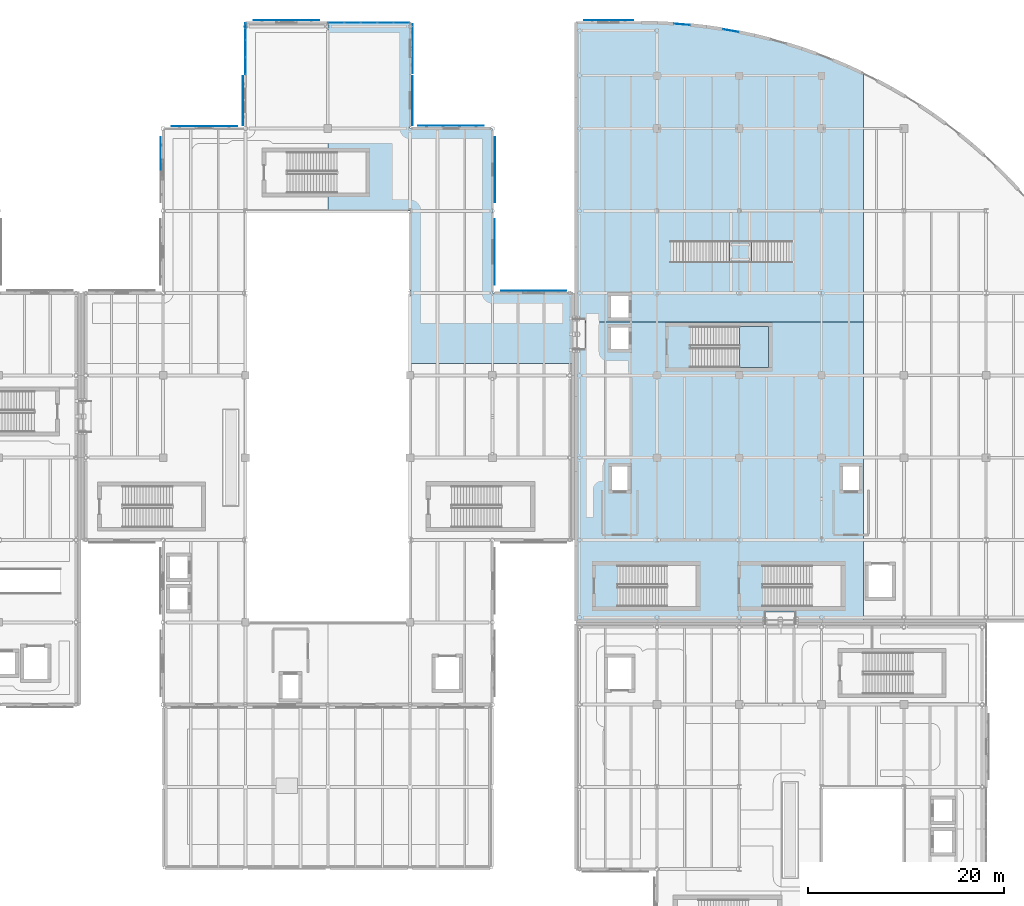
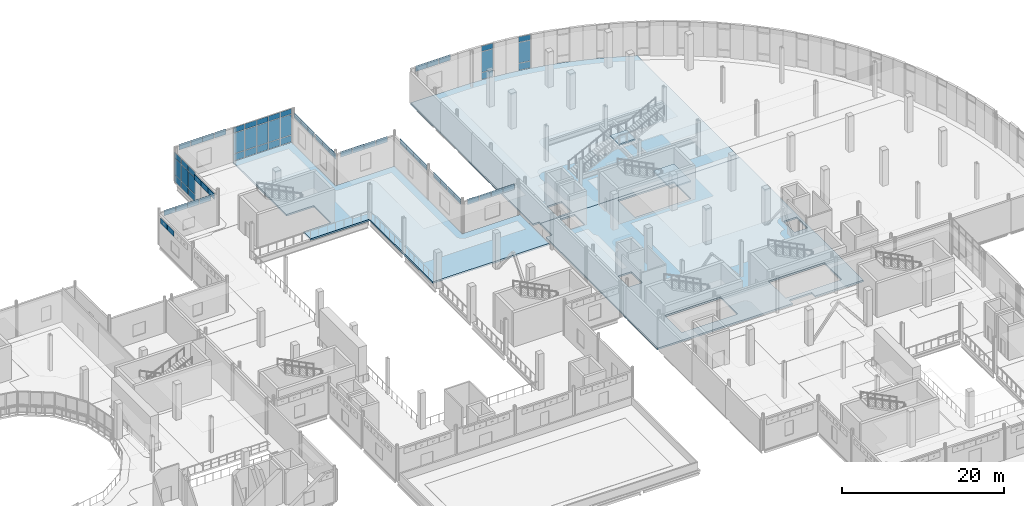
# One storey, part 60 of 110: 68 plates, 5 slabs, 6 elements without a shape of their own.
"""IFC4 building model written with IfcOpenShell, lengths in metres."""

from ifc_helpers import new_model, si_unit, direction, frame, origin, origin_2d, place, context, subcontext, project, spatial, polyline, rectangle, outline, extrude, material, layer, layer_set, type_object, element, aggregate, save


model = new_model("IFC4")

# Units and contexts
model_context = context("Model", 3, precision=1e-05, world=origin(), true_north=direction((0.0, 1.0)))
body_context = subcontext(model_context, "Body", "Model", "MODEL_VIEW")
ifc_project = project(units=[si_unit("LENGTHUNIT", "METRE"), si_unit("AREAUNIT", "SQUARE_METRE"), si_unit("VOLUMEUNIT", "CUBIC_METRE"), si_unit("PLANEANGLEUNIT", "RADIAN"), si_unit("MASSUNIT", "GRAM", prefix="KILO"), si_unit("THERMODYNAMICTEMPERATUREUNIT", "KELVIN")], contexts=[model_context])

# Site, building, storey
site_placement = place(None, origin())
site = spatial("IfcSite", under=ifc_project, at=site_placement, CompositionType="ELEMENT")
building_placement = place(site_placement, origin())
building = spatial("IfcBuilding", under=site, at=building_placement, Name="Lustrewick Department Store", CompositionType="ELEMENT")
storey_placement = place(building_placement, frame((0.0, 0.0, 6.0)))
storey = spatial("IfcBuildingStorey", under=building, at=storey_placement, Name="L02", CompositionType="ELEMENT", Elevation=6.0)

# Curtain wall, plates
ifc_material_1 = material(Name="Thermally broken aluminium 6063-T5", Category="aluminium")
ifc_layer_1 = layer(ifc_material_1, 0.139892578125, Name="Thermally broken aluminium 6063-T5")
ifc_layer_set_1 = layer_set([ifc_layer_1], Name="Thermally broken aluminium 6063-T5")
curtain_wall_type_1 = type_object("IfcCurtainWallType", Name="CW06", PredefinedType="NOTDEFINED", material=ifc_layer_set_1)
curtain_wall_1_placement = place(storey_placement, origin())
curtain_wall_1 = element("IfcCurtainWall", 1, at=curtain_wall_1_placement, inside=storey, type_object=curtain_wall_type_1, Name="L02 V4 Curtain Wall CW06", PredefinedType="NOTDEFINED")
ifc_material_2 = material(Name="Low-E laminated safety glass", Category="glass")
ifc_layer_2 = layer(ifc_material_2, 0.02392578125, Name="Low-E laminated safety glass")
ifc_layer_set_2 = layer_set([ifc_layer_2], Name="Low-E laminated safety glass")
plate_type_1 = type_object("IfcPlateType", Name="CP01", PredefinedType="CURTAIN_PANEL", material=ifc_layer_set_2)
plate_1_placement = place(storey_placement, frame((120.162353515625, 111.426513671875, 0.054931640625), z_axis=(0.0, 0.0, 1.0), x_axis=(-0.996787558737, 0.08009096545, 0.0)))
plate_1 = element("IfcPlate", 2, at=plate_1_placement, type_object=plate_type_1, Name="CW06 panel 1.1", PredefinedType="CURTAIN_PANEL", context=body_context, shape_type="SweptSolid", body=[
    extrude(rectangle(XDim=1.556884765625, YDim=0.02392578125, at=origin_2d()), origin(), (0.0, 0.0, 1.0), 1.017578125),
])
plate_2_placement = place(storey_placement, frame((120.162353515625, 111.426513671875, 1.12744140625), z_axis=(0.0, 0.0, 1.0), x_axis=(-0.996787558737, 0.08009096545, 0.0)))
plate_2 = element("IfcPlate", 3, at=plate_2_placement, type_object=plate_type_1, Name="CW06 panel 1.2", PredefinedType="CURTAIN_PANEL", context=body_context, shape_type="SweptSolid", body=[
    extrude(rectangle(XDim=1.556884765625, YDim=0.02392578125, at=origin_2d()), origin(), (0.0, 0.0, 1.0), 3.090087890625),
])
plate_3_placement = place(storey_placement, frame((120.162353515625, 111.426513671875, 4.2724609375), z_axis=(0.0, 0.0, 1.0), x_axis=(-0.996787558737, 0.08009096545, 0.0)))
plate_3 = element("IfcPlate", 4, at=plate_3_placement, type_object=plate_type_1, Name="CW06 panel 1.3", PredefinedType="CURTAIN_PANEL", context=body_context, shape_type="SweptSolid", body=[
    extrude(rectangle(XDim=1.556884765625, YDim=0.02392578125, at=origin_2d()), origin(), (0.0, 0.0, 1.0), 0.8173828125),
])
aggregate(curtain_wall_1, [plate_1, plate_2, plate_3])

ifc_layer_3 = layer(ifc_material_1, 0.179931640625, Name="Thermally broken aluminium 6063-T5")
ifc_layer_set_3 = layer_set([ifc_layer_3], Name="Thermally broken aluminium 6063-T5")
curtain_wall_type_2 = type_object("IfcCurtainWallType", Name="CW02", PredefinedType="NOTDEFINED", material=ifc_layer_set_3)
curtain_wall_2_placement = place(storey_placement, origin())
curtain_wall_2 = element("IfcCurtainWall", 5, at=curtain_wall_2_placement, inside=storey, type_object=curtain_wall_type_2, Name="L02 V2 Curtain Wall CW02", PredefinedType="NOTDEFINED")
ifc_layer_4 = layer(ifc_material_2, 0.02587890625, Name="Low-E laminated safety glass")
ifc_layer_set_4 = layer_set([ifc_layer_4], Name="Low-E laminated safety glass")
plate_type_2 = type_object("IfcPlateType", Name="CP02", PredefinedType="CURTAIN_PANEL", material=ifc_layer_set_4)
plate_4_placement = place(storey_placement, frame((91.543701171875, 111.60009765625, 0.06494140625), z_axis=(0.0, 0.0, 1.0), x_axis=(-1.0, 0.0, 0.0)))
plate_4 = element("IfcPlate", 6, at=plate_4_placement, type_object=plate_type_2, Name="CW02 panel 1.1", PredefinedType="CURTAIN_PANEL", context=body_context, shape_type="SweptSolid", body=[
    extrude(rectangle(XDim=1.58251953125, YDim=0.02587890625, at=origin_2d()), origin(), (0.0, 0.0, 1.0), 1.00244140625),
])
plate_5_placement = place(storey_placement, frame((91.543701171875, 111.60009765625, 1.132568359375), z_axis=(0.0, 0.0, 1.0), x_axis=(-1.0, 0.0, 0.0)))
plate_5 = element("IfcPlate", 7, at=plate_5_placement, type_object=plate_type_2, Name="CW02 panel 1.2", PredefinedType="CURTAIN_PANEL", context=body_context, shape_type="SweptSolid", body=[
    extrude(rectangle(XDim=1.58251953125, YDim=0.02587890625, at=origin_2d()), origin(), (0.0, 0.0, 1.0), 3.080078125),
])
plate_6_placement = place(storey_placement, frame((91.543701171875, 111.60009765625, 4.27734375), z_axis=(0.0, 0.0, 1.0), x_axis=(-1.0, 0.0, 0.0)))
plate_6 = element("IfcPlate", 8, at=plate_6_placement, type_object=plate_type_2, Name="CW02 panel 1.3", PredefinedType="CURTAIN_PANEL", context=body_context, shape_type="SweptSolid", body=[
    extrude(rectangle(XDim=1.58251953125, YDim=0.02587890625, at=origin_2d()), origin(), (0.0, 0.0, 1.0), 0.802490234375),
])
plate_7_placement = place(storey_placement, frame((89.8798828125, 111.60009765625, 0.06494140625), z_axis=(0.0, 0.0, 1.0), x_axis=(-1.0, 0.0, 0.0)))
plate_7 = element("IfcPlate", 9, at=plate_7_placement, type_object=plate_type_2, Name="CW02 panel 2.1", PredefinedType="CURTAIN_PANEL", context=body_context, shape_type="SweptSolid", body=[
    extrude(rectangle(XDim=1.614990234375, YDim=0.02587890625, at=origin_2d()), origin(), (0.0, 0.0, 1.0), 1.00244140625),
])
plate_8_placement = place(storey_placement, frame((89.8798828125, 111.60009765625, 1.132568359375), z_axis=(0.0, 0.0, 1.0), x_axis=(-1.0, 0.0, 0.0)))
plate_8 = element("IfcPlate", 10, at=plate_8_placement, type_object=plate_type_2, Name="CW02 panel 2.2", PredefinedType="CURTAIN_PANEL", context=body_context, shape_type="SweptSolid", body=[
    extrude(rectangle(XDim=1.614990234375, YDim=0.02587890625, at=origin_2d()), origin(), (0.0, 0.0, 1.0), 3.080078125),
])
plate_9_placement = place(storey_placement, frame((89.8798828125, 111.60009765625, 4.27734375), z_axis=(0.0, 0.0, 1.0), x_axis=(-1.0, 0.0, 0.0)))
plate_9 = element("IfcPlate", 11, at=plate_9_placement, type_object=plate_type_2, Name="CW02 panel 2.3", PredefinedType="CURTAIN_PANEL", context=body_context, shape_type="SweptSolid", body=[
    extrude(rectangle(XDim=1.614990234375, YDim=0.02587890625, at=origin_2d()), origin(), (0.0, 0.0, 1.0), 0.802490234375),
])
plate_10_placement = place(storey_placement, frame((88.199951171875, 111.60009765625, 0.06494140625), z_axis=(0.0, 0.0, 1.0), x_axis=(-1.0, 0.0, 0.0)))
plate_10 = element("IfcPlate", 12, at=plate_10_placement, type_object=plate_type_2, Name="CW02 panel 3.1", PredefinedType="CURTAIN_PANEL", context=body_context, shape_type="SweptSolid", body=[
    extrude(rectangle(XDim=1.614990234375, YDim=0.02587890625, at=origin_2d()), origin(), (0.0, 0.0, 1.0), 1.00244140625),
])
plate_11_placement = place(storey_placement, frame((88.199951171875, 111.60009765625, 1.132568359375), z_axis=(0.0, 0.0, 1.0), x_axis=(-1.0, 0.0, 0.0)))
plate_11 = element("IfcPlate", 13, at=plate_11_placement, type_object=plate_type_2, Name="CW02 panel 3.2", PredefinedType="CURTAIN_PANEL", context=body_context, shape_type="SweptSolid", body=[
    extrude(rectangle(XDim=1.614990234375, YDim=0.02587890625, at=origin_2d()), origin(), (0.0, 0.0, 1.0), 3.080078125),
])
plate_12_placement = place(storey_placement, frame((88.199951171875, 111.60009765625, 4.27734375), z_axis=(0.0, 0.0, 1.0), x_axis=(-1.0, 0.0, 0.0)))
plate_12 = element("IfcPlate", 14, at=plate_12_placement, type_object=plate_type_2, Name="CW02 panel 3.3", PredefinedType="CURTAIN_PANEL", context=body_context, shape_type="SweptSolid", body=[
    extrude(rectangle(XDim=1.614990234375, YDim=0.02587890625, at=origin_2d()), origin(), (0.0, 0.0, 1.0), 0.802490234375),
])
plate_13_placement = place(storey_placement, frame((86.52001953125, 111.60009765625, 0.06494140625), z_axis=(0.0, 0.0, 1.0), x_axis=(-1.0, 0.0, 0.0)))
plate_13 = element("IfcPlate", 15, at=plate_13_placement, type_object=plate_type_2, Name="CW02 panel 4.1", PredefinedType="CURTAIN_PANEL", context=body_context, shape_type="SweptSolid", body=[
    extrude(rectangle(XDim=1.614990234375, YDim=0.02587890625, at=origin_2d()), origin(), (0.0, 0.0, 1.0), 1.00244140625),
])
plate_14_placement = place(storey_placement, frame((86.52001953125, 111.60009765625, 1.132568359375), z_axis=(0.0, 0.0, 1.0), x_axis=(-1.0, 0.0, 0.0)))
plate_14 = element("IfcPlate", 16, at=plate_14_placement, type_object=plate_type_2, Name="CW02 panel 4.2", PredefinedType="CURTAIN_PANEL", context=body_context, shape_type="SweptSolid", body=[
    extrude(rectangle(XDim=1.614990234375, YDim=0.02587890625, at=origin_2d()), origin(), (0.0, 0.0, 1.0), 3.080078125),
])
plate_15_placement = place(storey_placement, frame((86.52001953125, 111.60009765625, 4.27734375), z_axis=(0.0, 0.0, 1.0), x_axis=(-1.0, 0.0, 0.0)))
plate_15 = element("IfcPlate", 17, at=plate_15_placement, type_object=plate_type_2, Name="CW02 panel 4.3", PredefinedType="CURTAIN_PANEL", context=body_context, shape_type="SweptSolid", body=[
    extrude(rectangle(XDim=1.614990234375, YDim=0.02587890625, at=origin_2d()), origin(), (0.0, 0.0, 1.0), 0.802490234375),
])
plate_16_placement = place(storey_placement, frame((84.856201171875, 111.60009765625, 0.06494140625), z_axis=(0.0, 0.0, 1.0), x_axis=(-1.0, 0.0, 0.0)))
plate_16 = element("IfcPlate", 18, at=plate_16_placement, type_object=plate_type_2, Name="CW02 panel 5.1", PredefinedType="CURTAIN_PANEL", context=body_context, shape_type="SweptSolid", body=[
    extrude(rectangle(XDim=1.58251953125, YDim=0.02587890625, at=origin_2d()), origin(), (0.0, 0.0, 1.0), 1.00244140625),
])
plate_17_placement = place(storey_placement, frame((84.856201171875, 111.60009765625, 1.132568359375), z_axis=(0.0, 0.0, 1.0), x_axis=(-1.0, 0.0, 0.0)))
plate_17 = element("IfcPlate", 19, at=plate_17_placement, type_object=plate_type_2, Name="CW02 panel 5.2", PredefinedType="CURTAIN_PANEL", context=body_context, shape_type="SweptSolid", body=[
    extrude(rectangle(XDim=1.58251953125, YDim=0.02587890625, at=origin_2d()), origin(), (0.0, 0.0, 1.0), 3.080078125),
])
plate_18_placement = place(storey_placement, frame((84.856201171875, 111.60009765625, 4.27734375), z_axis=(0.0, 0.0, 1.0), x_axis=(-1.0, 0.0, 0.0)))
plate_18 = element("IfcPlate", 20, at=plate_18_placement, type_object=plate_type_2, Name="CW02 panel 5.3", PredefinedType="CURTAIN_PANEL", context=body_context, shape_type="SweptSolid", body=[
    extrude(rectangle(XDim=1.58251953125, YDim=0.02587890625, at=origin_2d()), origin(), (0.0, 0.0, 1.0), 0.802490234375),
])
aggregate(curtain_wall_2, [plate_4, plate_5, plate_6, plate_7, plate_8, plate_9, plate_10, plate_11, plate_12, plate_13, plate_14, plate_15, plate_16, plate_17, plate_18])

ifc_layer_5 = layer(ifc_material_1, 0.169921875, Name="Thermally broken aluminium 6063-T5")
ifc_layer_set_5 = layer_set([ifc_layer_5], Name="Thermally broken aluminium 6063-T5")
curtain_wall_type_3 = type_object("IfcCurtainWallType", Name="CW03", PredefinedType="NOTDEFINED", material=ifc_layer_set_5)
curtain_wall_3_placement = place(storey_placement, origin())
curtain_wall_3 = element("IfcCurtainWall", 21, at=curtain_wall_3_placement, inside=storey, type_object=curtain_wall_type_3, Name="L02 V2 Curtain Wall CW03", PredefinedType="NOTDEFINED")
ifc_layer_6 = layer(ifc_material_2, 0.028076171875, Name="Low-E laminated safety glass")
ifc_layer_set_6 = layer_set([ifc_layer_6], Name="Low-E laminated safety glass")
plate_type_3 = type_object("IfcPlateType", Name="CP03", PredefinedType="CURTAIN_PANEL", material=ifc_layer_set_6)
plate_19_placement = place(storey_placement, frame((75.60009765625, 110.7001953125, 0.06494140625), z_axis=(0.0, 0.0, 1.0), x_axis=(0.0, -1.0, 0.0)))
plate_19 = element("IfcPlate", 22, at=plate_19_placement, type_object=plate_type_3, Name="CW03 panel 1.1", PredefinedType="CURTAIN_PANEL", context=body_context, shape_type="SweptSolid", body=[
    extrude(rectangle(XDim=1.66943359375, YDim=0.028076171875, at=origin_2d()), origin(), (0.0, 0.0, 1.0), 1.00244140625),
])
plate_20_placement = place(storey_placement, frame((75.60009765625, 110.7001953125, 1.13232421875), z_axis=(0.0, 0.0, 1.0), x_axis=(0.0, -1.0, 0.0)))
plate_20 = element("IfcPlate", 23, at=plate_20_placement, type_object=plate_type_3, Name="CW03 panel 1.2", PredefinedType="CURTAIN_PANEL", context=body_context, shape_type="SweptSolid", body=[
    extrude(rectangle(XDim=1.66943359375, YDim=0.028076171875, at=origin_2d()), origin(), (0.0, 0.0, 1.0), 2.471923828125),
])
plate_21_placement = place(storey_placement, frame((75.60009765625, 110.7001953125, 3.66943359375), z_axis=(0.0, 0.0, 1.0), x_axis=(0.0, -1.0, 0.0)))
plate_21 = element("IfcPlate", 24, at=plate_21_placement, type_object=plate_type_3, Name="CW03 panel 1.3", PredefinedType="CURTAIN_PANEL", context=body_context, shape_type="SweptSolid", body=[
    extrude(rectangle(XDim=1.66943359375, YDim=0.028076171875, at=origin_2d()), origin(), (0.0, 0.0, 1.0), 0.802490234375),
])
plate_22_placement = place(storey_placement, frame((75.60009765625, 108.949462890625, 0.06494140625), z_axis=(0.0, 0.0, 1.0), x_axis=(0.0, -1.0, 0.0)))
plate_22 = element("IfcPlate", 25, at=plate_22_placement, type_object=plate_type_3, Name="CW03 panel 2.1", PredefinedType="CURTAIN_PANEL", context=body_context, shape_type="SweptSolid", body=[
    extrude(rectangle(XDim=1.701904296875, YDim=0.028076171875, at=origin_2d()), origin(), (0.0, 0.0, 1.0), 1.00244140625),
])
plate_23_placement = place(storey_placement, frame((75.60009765625, 108.949462890625, 1.13232421875), z_axis=(0.0, 0.0, 1.0), x_axis=(0.0, -1.0, 0.0)))
plate_23 = element("IfcPlate", 26, at=plate_23_placement, type_object=plate_type_3, Name="CW03 panel 2.2", PredefinedType="CURTAIN_PANEL", context=body_context, shape_type="SweptSolid", body=[
    extrude(rectangle(XDim=1.701904296875, YDim=0.028076171875, at=origin_2d()), origin(), (0.0, 0.0, 1.0), 2.471923828125),
])
plate_24_placement = place(storey_placement, frame((75.60009765625, 108.949462890625, 3.66943359375), z_axis=(0.0, 0.0, 1.0), x_axis=(0.0, -1.0, 0.0)))
plate_24 = element("IfcPlate", 27, at=plate_24_placement, type_object=plate_type_3, Name="CW03 panel 2.3", PredefinedType="CURTAIN_PANEL", context=body_context, shape_type="SweptSolid", body=[
    extrude(rectangle(XDim=1.701904296875, YDim=0.028076171875, at=origin_2d()), origin(), (0.0, 0.0, 1.0), 0.802490234375),
])
plate_25_placement = place(storey_placement, frame((75.60009765625, 107.19873046875, 0.06494140625), z_axis=(0.0, 0.0, 1.0), x_axis=(0.0, -1.0, 0.0)))
plate_25 = element("IfcPlate", 28, at=plate_25_placement, type_object=plate_type_3, Name="CW03 panel 3.1", PredefinedType="CURTAIN_PANEL", context=body_context, shape_type="SweptSolid", body=[
    extrude(rectangle(XDim=1.66943359375, YDim=0.028076171875, at=origin_2d()), origin(), (0.0, 0.0, 1.0), 1.00244140625),
])
plate_26_placement = place(storey_placement, frame((75.60009765625, 107.19873046875, 1.13232421875), z_axis=(0.0, 0.0, 1.0), x_axis=(0.0, -1.0, 0.0)))
plate_26 = element("IfcPlate", 29, at=plate_26_placement, type_object=plate_type_3, Name="CW03 panel 3.2", PredefinedType="CURTAIN_PANEL", context=body_context, shape_type="SweptSolid", body=[
    extrude(rectangle(XDim=1.66943359375, YDim=0.028076171875, at=origin_2d()), origin(), (0.0, 0.0, 1.0), 2.471923828125),
])
plate_27_placement = place(storey_placement, frame((75.60009765625, 107.19873046875, 3.66943359375), z_axis=(0.0, 0.0, 1.0), x_axis=(0.0, -1.0, 0.0)))
plate_27 = element("IfcPlate", 30, at=plate_27_placement, type_object=plate_type_3, Name="CW03 panel 3.3", PredefinedType="CURTAIN_PANEL", context=body_context, shape_type="SweptSolid", body=[
    extrude(rectangle(XDim=1.66943359375, YDim=0.028076171875, at=origin_2d()), origin(), (0.0, 0.0, 1.0), 0.802490234375),
])
aggregate(curtain_wall_3, [plate_19, plate_20, plate_21, plate_22, plate_23, plate_24, plate_25, plate_26, plate_27])

ifc_layer_7 = layer(ifc_material_1, 0.14990234375, Name="Thermally broken aluminium 6063-T5")
ifc_layer_set_7 = layer_set([ifc_layer_7], Name="Thermally broken aluminium 6063-T5")
curtain_wall_type_4 = type_object("IfcCurtainWallType", Name="CW05", PredefinedType="NOTDEFINED", material=ifc_layer_set_7)
curtain_wall_4_placement = place(storey_placement, origin())
curtain_wall_4 = element("IfcCurtainWall", 31, at=curtain_wall_4_placement, inside=storey, type_object=curtain_wall_type_4, Name="L02 V4 Curtain Wall CW05", PredefinedType="NOTDEFINED")
ifc_material_3 = material(Name="Low-E triple laminated safety glass", Category="glass")
ifc_layer_8 = layer(ifc_material_3, 0.031982421875, Name="Low-E triple laminated safety glass")
ifc_layer_set_8 = layer_set([ifc_layer_8], Name="Low-E triple laminated safety glass")
plate_type_4 = type_object("IfcPlateType", Name="CP05", PredefinedType="CURTAIN_PANEL", material=ifc_layer_set_8)
plate_28_placement = place(storey_placement, frame((125.11962890625, 110.787353515625, 0.06005859375), z_axis=(0.0, 0.0, 1.0), x_axis=(-0.984493506403, 0.175421024539, 0.0)))
plate_28 = element("IfcPlate", 32, at=plate_28_placement, type_object=plate_type_4, Name="CW05 panel 1.1", PredefinedType="CURTAIN_PANEL", context=body_context, shape_type="SweptSolid", body=[
    extrude(rectangle(XDim=1.546875, YDim=0.031982421875, at=origin_2d()), origin(), (0.0, 0.0, 1.0), 1.010009765625),
])
plate_29_placement = place(storey_placement, frame((125.11962890625, 110.787353515625, 1.130126953125), z_axis=(0.0, 0.0, 1.0), x_axis=(-0.984493506403, 0.175421024539, 0.0)))
plate_29 = element("IfcPlate", 33, at=plate_29_placement, type_object=plate_type_4, Name="CW05 panel 1.2", PredefinedType="CURTAIN_PANEL", context=body_context, shape_type="SweptSolid", body=[
    extrude(rectangle(XDim=1.546875, YDim=0.031982421875, at=origin_2d()), origin(), (0.0, 0.0, 1.0), 3.0849609375),
])
plate_30_placement = place(storey_placement, frame((125.11962890625, 110.787353515625, 4.27490234375), z_axis=(0.0, 0.0, 1.0), x_axis=(-0.984493506403, 0.175421024539, 0.0)))
plate_30 = element("IfcPlate", 34, at=plate_30_placement, type_object=plate_type_4, Name="CW05 panel 1.3", PredefinedType="CURTAIN_PANEL", context=body_context, shape_type="SweptSolid", body=[
    extrude(rectangle(XDim=1.546875, YDim=0.031982421875, at=origin_2d()), origin(), (0.0, 0.0, 1.0), 0.81005859375),
])
aggregate(curtain_wall_4, [plate_28, plate_29, plate_30])

# Slabs
ifc_material_4 = material(Name="Concrete C30", Category="concrete")
ifc_layer_9 = layer(ifc_material_4, 0.25, Name="Concrete C30")
ifc_layer_set_9 = layer_set([ifc_layer_9], Name="Concrete C30")
slab_type_1 = type_object("IfcSlabType", Name="FS02", PredefinedType="FLOOR", material=ifc_layer_set_9)
slab_1_placement = place(storey_placement, frame((0.0, 0.0, -0.25)))
element("IfcSlab", 35, at=slab_1_placement, inside=storey, type_object=slab_type_1, Name="L02 V2 Floor Slab FS02", PredefinedType="FLOOR", context=body_context, shape_type="SweptSolid", body=[
    extrude(outline(polyline([(92.39990234375, 111.60009765625), (84.0, 111.60009765625), (84.0, 98.39990234375), (87.89990234375, 98.39990234375), (87.89990234375, 94.199951171875), (84.0, 94.199951171875), (84.0, 92.39990234375), (92.39990234375, 92.39990234375), (92.39990234375, 76.800048828125), (109.050048828125, 76.800048828125), (109.050048828125, 84.0), (100.800048828125, 84.0), (100.800048828125, 100.800048828125), (92.39990234375, 100.800048828125), (92.39990234375, 111.60009765625)])), origin(), (0.0, 0.0, 1.0), 0.25),
])
slab_2_placement = place(storey_placement, frame((0.0, 0.0, -0.25)))
element("IfcSlab", 36, at=slab_2_placement, inside=storey, type_object=slab_type_1, Name="L02 V4 Floor Slab FS02", PredefinedType="FLOOR", context=body_context, shape_type="SweptSolid", body=[
    extrude(outline(polyline([(109.35009765625, 50.550048828125), (128.594970703125, 50.550048828125), (128.594970703125, 51.43505859375), (131.804931640625, 51.43505859375), (131.804931640625, 50.550048828125), (138.675048828125, 50.550048828125), (138.675048828125, 81.074951171875), (110.235107421875, 81.074951171875), (110.235107421875, 78.195068359375), (109.35009765625, 78.195068359375), (109.35009765625, 50.550048828125)]), holes=[polyline([(136.449951171875, 63.75), (136.449951171875, 66.449951171875), (138.35009765625, 66.449951171875), (138.35009765625, 63.75), (136.449951171875, 63.75)]), polyline([(128.419921875, 52.0), (128.419921875, 56.199951171875), (136.39990234375, 56.199951171875), (136.39990234375, 52.0), (128.419921875, 52.0)]), polyline([(121.02001953125, 76.39990234375), (121.02001953125, 80.60009765625), (129.0, 80.60009765625), (129.0, 76.39990234375), (121.02001953125, 76.39990234375)]), polyline([(113.6201171875, 52.0), (113.6201171875, 56.199951171875), (121.60009765625, 56.199951171875), (121.60009765625, 52.0), (113.6201171875, 52.0)]), polyline([(112.75, 78.14990234375), (112.75, 80.64990234375), (114.85009765625, 80.64990234375), (114.85009765625, 78.14990234375), (112.75, 78.14990234375)]), polyline([(112.85009765625, 63.75), (112.85009765625, 66.449951171875), (114.75, 66.449951171875), (114.75, 63.75), (112.85009765625, 63.75)])]), origin(), (0.0, 0.0, 1.0), 0.25),
])
slab_3_placement = place(storey_placement, frame((0.0, 0.0, -0.25)))
element("IfcSlab", 37, at=slab_3_placement, inside=storey, type_object=slab_type_1, Name="L02 V4 Floor Slab FS02", PredefinedType="FLOOR", context=body_context, shape_type="SweptSolid", body=[
    extrude(outline(polyline([(110.235107421875, 81.405029296875), (110.235107421875, 81.074951171875), (138.675048828125, 81.074951171875), (138.675048828125, 106.393798828125), (138.56201171875, 106.450439453125), (137.048583984375, 107.1494140625), (135.513916015625, 107.7998046875), (133.958984375, 108.400390625), (132.385498046875, 108.950927734375), (130.79541015625, 109.45068359375), (129.18994140625, 109.8994140625), (127.571044921875, 110.29638671875), (125.940185546875, 110.64111328125), (124.29931640625, 110.93359375), (122.649658203125, 111.173095703125), (120.9931640625, 111.359619140625), (119.331787109375, 111.4931640625), (117.666748046875, 111.5732421875), (116.0, 111.60009765625), (109.35009765625, 111.60009765625), (109.35009765625, 81.405029296875), (110.235107421875, 81.405029296875)]), holes=[polyline([(112.75, 83.85009765625), (114.85009765625, 83.85009765625), (114.85009765625, 81.35009765625), (112.75, 81.35009765625), (112.75, 83.85009765625)])]), origin(), (0.0, 0.0, 1.0), 0.25),
])

# Stair, slab
stair_type_1 = type_object("IfcStairType", Name="ST-H54", PredefinedType="HALF_TURN_STAIR", material=ifc_material_4)
stair_1_placement = place(storey_placement, origin())
stair_1 = element("IfcStair", 38, at=stair_1_placement, inside=storey, type_object=stair_type_1, Name="L02 Smoke-Proof Exit Stair ST10", PredefinedType="HALF_TURN_STAIR")
ifc_layer_10 = layer(ifc_material_4, 0.199951171875, Name="Concrete C30")
ifc_layer_set_10 = layer_set([ifc_layer_10], Name="Concrete C30")
slab_type_2 = type_object("IfcSlabType", Name="LS01", PredefinedType="LANDING", material=ifc_layer_set_10)
slab_4_placement = place(storey_placement, frame((0.0, 0.0, 2.5)))
slab_4 = element("IfcSlab", 39, at=slab_4_placement, type_object=slab_type_2, Name="ST-H54 landing 1", PredefinedType="LANDING", context=body_context, shape_type="SweptSolid", body=[
    extrude(outline(polyline([(126.050048828125, 76.39990234375), (129.0, 76.39990234375), (129.0, 80.60009765625), (126.050048828125, 80.60009765625), (126.050048828125, 76.39990234375)])), origin(), (0.0, 0.0, 1.0), 0.199951171875),
])
aggregate(stair_1, [slab_4])

ifc_material_5 = material(Name="Structural steel S355 (Q355B)", Category="steel")
stair_type_2 = type_object("IfcStairType", Name="AST02", PredefinedType="STRAIGHT_RUN_STAIR", material=ifc_material_5)
stair_2_placement = place(storey_placement, origin())
stair_2 = element("IfcStair", 40, at=stair_2_placement, inside=storey, type_object=stair_type_2, Name="L02 Architectural Feature Stair AST02", PredefinedType="STRAIGHT_RUN_STAIR")
slab_5_placement = place(storey_placement, frame((0.0, 0.0, 2.949951171875)))
slab_5 = element("IfcSlab", 41, at=slab_5_placement, type_object=slab_type_2, Name="AST02 landing 1", PredefinedType="LANDING", context=body_context, shape_type="SweptSolid", body=[
    extrude(outline(polyline([(127.27001953125, 87.10009765625), (127.27001953125, 89.300048828125), (124.929931640625, 89.300048828125), (124.929931640625, 87.10009765625), (127.27001953125, 87.10009765625)])), origin(), (0.0, 0.0, 1.0), 0.199951171875),
])
aggregate(stair_2, [slab_5])

# Plates
ifc_material_6 = material(Name="Perforated white powder-coated aluminium 3003-H24", Category="aluminium")
ifc_layer_11 = layer(ifc_material_6, 0.011962890625, Name="Perforated white powder-coated aluminium 3003-H24")
ifc_layer_set_11 = layer_set([ifc_layer_11], Name="Perforated white powder-coated aluminium 3003-H24")
plate_type_5 = type_object("IfcPlateType", Name="PS03", PredefinedType="SHEET", material=ifc_layer_set_11)
for number, where, z_axis, x_axis, name in (
    (42, (107.5439453125, 84.24609375, 3.8671875), (0.0, 0.0, 1.0), (-1.0, 0.0, 0.0), "L02 Botanical Filigree Cassette PS03 0105"),
    (43, (105.864013671875, 84.24609375, 3.8671875), (0.0, 0.0, 1.0), (-1.0, 0.0, 0.0), "L02 Botanical Filigree Cassette PS03 0106"),
    (44, (104.18408203125, 84.24609375, 3.8671875), (0.0, 0.0, 1.0), (-1.0, 0.0, 0.0), "L02 Botanical Filigree Cassette PS03 0107"),
    (45, (102.50390625, 84.24609375, 3.8671875), (0.0, 0.0, 1.0), (-1.0, 0.0, 0.0), "L02 Botanical Filigree Cassette PS03 0108"),
    (46, (101.055908203125, 85.687255859375, 3.77685546875), (0.0, 0.0, 1.0), (0.0, 1.0, 0.0), "L02 Botanical Filigree Cassette PS03 0109"),
    (47, (101.055908203125, 87.3671875, 3.77685546875), (0.0, 0.0, 1.0), (0.0, 1.0, 0.0), "L02 Botanical Filigree Cassette PS03 0110"),
    (48, (101.055908203125, 89.047119140625, 3.77685546875), (0.0, 0.0, 1.0), (0.0, 1.0, 0.0), "L02 Botanical Filigree Cassette PS03 0111"),
    (49, (101.055908203125, 90.727294921875, 3.77685546875), (0.0, 0.0, 1.0), (0.0, 1.0, 0.0), "L02 Botanical Filigree Cassette PS03 0112"),
    (50, (101.06591796875, 94.07275390625, 3.77685546875), (0.0, 0.0, 1.0), (0.0, 1.0, 0.0), "L02 Botanical Filigree Cassette PS03 0113"),
    (51, (101.06591796875, 95.752685546875, 3.77685546875), (0.0, 0.0, 1.0), (0.0, 1.0, 0.0), "L02 Botanical Filigree Cassette PS03 0114"),
    (52, (101.06591796875, 97.4326171875, 3.77685546875), (0.0, 0.0, 1.0), (0.0, 1.0, 0.0), "L02 Botanical Filigree Cassette PS03 0115"),
    (53, (101.06591796875, 99.11279296875, 3.77685546875), (0.0, 0.0, 1.0), (0.0, 1.0, 0.0), "L02 Botanical Filigree Cassette PS03 0116"),
):
    element("IfcPlate", number, at=place(storey_placement, frame(where, z_axis=z_axis, x_axis=x_axis)), inside=storey, type_object=plate_type_5, Name=name, PredefinedType="SHEET", context=body_context, shape_type="SweptSolid", body=[
        extrude(rectangle(XDim=1.639892578125, YDim=0.011962890625, at=origin_2d()), origin(), (0.0, 0.0, 1.0), 0.840087890625),
    ])
ifc_material_7 = material(Name="Charcoal-black anodized lace aluminium 6061-T6", Category="aluminium")
ifc_layer_12 = layer(ifc_material_7, 0.013916015625, Name="Charcoal-black anodized lace aluminium 6061-T6")
ifc_layer_set_12 = layer_set([ifc_layer_12], Name="Charcoal-black anodized lace aluminium 6061-T6")
plate_type_6 = type_object("IfcPlateType", Name="PS04", PredefinedType="SHEET", material=ifc_layer_set_12)
for number, where, z_axis, x_axis, name in (
    (54, (99.1201171875, 101.06689453125, 3.77685546875), (0.0, 0.0, 1.0), (-1.0, 0.0, 0.0), "L02 Botanical Filigree Cassette PS04 0117"),
    (55, (97.43994140625, 101.06689453125, 3.77685546875), (0.0, 0.0, 1.0), (-1.0, 0.0, 0.0), "L02 Botanical Filigree Cassette PS04 0118"),
    (56, (95.760009765625, 101.06689453125, 3.77685546875), (0.0, 0.0, 1.0), (-1.0, 0.0, 0.0), "L02 Botanical Filigree Cassette PS04 0119"),
    (57, (94.080078125, 101.06689453125, 3.77685546875), (0.0, 0.0, 1.0), (-1.0, 0.0, 0.0), "L02 Botanical Filigree Cassette PS04 0120"),
    (58, (92.64697265625, 101.968505859375, 3.6171875), (0.0, 0.0, 1.0), (0.0, 1.0, 0.0), "L02 Botanical Filigree Cassette PS04 0121"),
    (59, (92.64697265625, 103.6484375, 3.6171875), (0.0, 0.0, 1.0), (0.0, 1.0, 0.0), "L02 Botanical Filigree Cassette PS04 0122"),
    (60, (92.64697265625, 105.32861328125, 3.6171875), (0.0, 0.0, 1.0), (0.0, 1.0, 0.0), "L02 Botanical Filigree Cassette PS04 0123"),
    (61, (92.656982421875, 107.26953125, 3.6171875), (0.0, 0.0, 1.0), (0.0, 1.0, 0.0), "L02 Botanical Filigree Cassette PS04 0124"),
    (62, (92.656982421875, 108.949462890625, 3.6171875), (0.0, 0.0, 1.0), (0.0, 1.0, 0.0), "L02 Botanical Filigree Cassette PS04 0125"),
    (63, (92.656982421875, 110.62939453125, 3.6171875), (0.0, 0.0, 1.0), (0.0, 1.0, 0.0), "L02 Botanical Filigree Cassette PS04 0126"),
    (64, (82.320068359375, 111.866943359375, 4.22509765625), (0.0, 0.0, 1.0), (-1.0, 0.0, 0.0), "L02 Botanical Filigree Cassette PS04 0127"),
    (65, (80.639892578125, 111.866943359375, 4.22509765625), (0.0, 0.0, 1.0), (-1.0, 0.0, 0.0), "L02 Botanical Filigree Cassette PS04 0128"),
    (66, (78.9599609375, 111.866943359375, 4.22509765625), (0.0, 0.0, 1.0), (-1.0, 0.0, 0.0), "L02 Botanical Filigree Cassette PS04 0129"),
    (67, (77.280029296875, 111.866943359375, 4.22509765625), (0.0, 0.0, 1.0), (-1.0, 0.0, 0.0), "L02 Botanical Filigree Cassette PS04 0130"),
    (68, (75.35302734375, 105.32861328125, 3.6171875), (0.0, 0.0, 1.0), (0.0, -1.0, 0.0), "L02 Botanical Filigree Cassette PS04 0131"),
    (69, (75.35302734375, 103.6484375, 3.6171875), (0.0, 0.0, 1.0), (0.0, -1.0, 0.0), "L02 Botanical Filigree Cassette PS04 0132"),
    (70, (75.35302734375, 101.968505859375, 3.6171875), (0.0, 0.0, 1.0), (0.0, -1.0, 0.0), "L02 Botanical Filigree Cassette PS04 0133"),
    (71, (73.919921875, 101.047119140625, 3.77685546875), (0.0, 0.0, 1.0), (-1.0, 0.0, 0.0), "L02 Botanical Filigree Cassette PS04 0134"),
    (72, (72.239990234375, 101.047119140625, 3.77685546875), (0.0, 0.0, 1.0), (-1.0, 0.0, 0.0), "L02 Botanical Filigree Cassette PS04 0135"),
    (73, (70.56005859375, 101.047119140625, 3.77685546875), (0.0, 0.0, 1.0), (-1.0, 0.0, 0.0), "L02 Botanical Filigree Cassette PS04 0136"),
    (74, (68.8798828125, 101.047119140625, 3.77685546875), (0.0, 0.0, 1.0), (-1.0, 0.0, 0.0), "L02 Botanical Filigree Cassette PS04 0137"),
):
    element("IfcPlate", number, at=place(storey_placement, frame(where, z_axis=z_axis, x_axis=x_axis)), inside=storey, type_object=plate_type_6, Name=name, PredefinedType="SHEET", context=body_context, shape_type="SweptSolid", body=[
        extrude(rectangle(XDim=1.639892578125, YDim=0.013916015625, at=origin_2d()), origin(), (0.0, 0.0, 1.0), 0.840087890625),
    ])
ifc_material_8 = material(Name="Sage-green enamelled aluminium spandrel 3003-H24", Category="aluminium")
ifc_layer_13 = layer(ifc_material_8, 0.01611328125, Name="Sage-green enamelled aluminium spandrel 3003-H24")
ifc_layer_set_13 = layer_set([ifc_layer_13], Name="Sage-green enamelled aluminium spandrel 3003-H24")
plate_type_7 = type_object("IfcPlateType", Name="PS05", PredefinedType="SHEET", material=ifc_layer_set_13)
for number, where, z_axis, x_axis, name in (
    (75, (66.94189453125, 99.11279296875, 3.7109375), (0.0, 0.0, 1.0), (0.0, -1.0, 0.0), "L02 Botanical Filigree Cassette PS05 0138"),
    (76, (66.94189453125, 97.4326171875, 3.7109375), (0.0, 0.0, 1.0), (0.0, -1.0, 0.0), "L02 Botanical Filigree Cassette PS05 0139"),
    (77, (114.35498046875, 111.867919921875, 4.22509765625), (0.0, 0.0, 1.0), (-1.0, 0.0, 0.0), "L02 Botanical Filigree Cassette PS05 0202"),
    (78, (112.675048828125, 111.867919921875, 4.22509765625), (0.0, 0.0, 1.0), (-1.0, 0.0, 0.0), "L02 Botanical Filigree Cassette PS05 0203"),
    (79, (110.9951171875, 111.867919921875, 4.22509765625), (0.0, 0.0, 1.0), (-1.0, 0.0, 0.0), "L02 Botanical Filigree Cassette PS05 0204"),
):
    element("IfcPlate", number, at=place(storey_placement, frame(where, z_axis=z_axis, x_axis=x_axis)), inside=storey, type_object=plate_type_7, Name=name, PredefinedType="SHEET", context=body_context, shape_type="SweptSolid", body=[
        extrude(rectangle(XDim=1.639892578125, YDim=0.01611328125, at=origin_2d()), origin(), (0.0, 0.0, 1.0), 0.840087890625),
    ])

save(model, "model.ifc")
